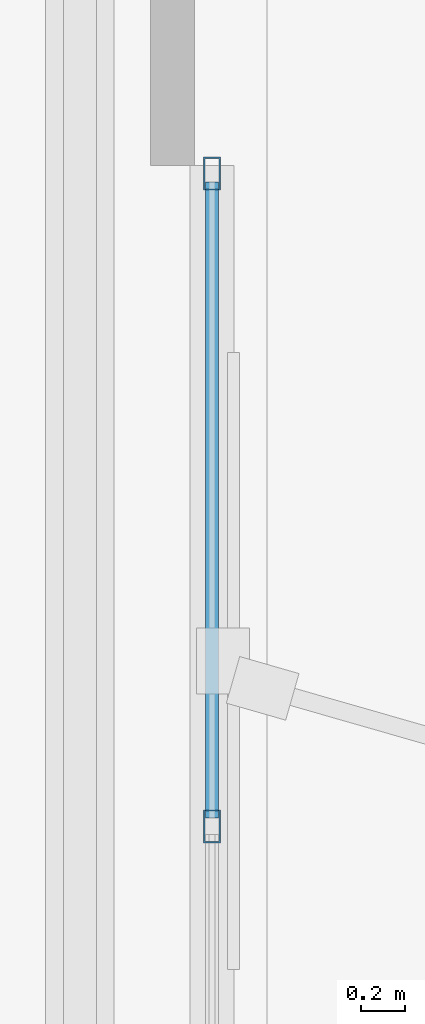
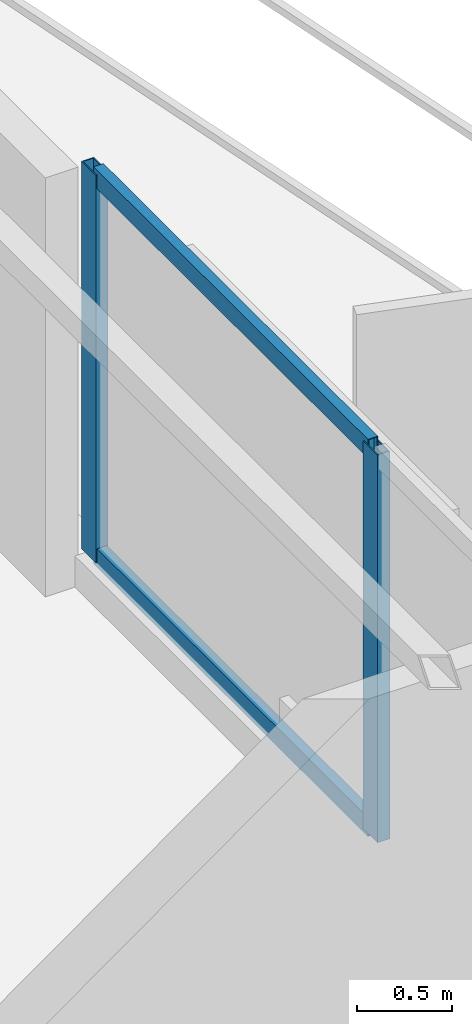
# One storey, part 13 of 21: 4 members, 1 element without a shape of its own.
"""IFC4 building model written with IfcOpenShell, lengths in metres."""

from ifc_helpers import new_model, si_unit, direction, frame, origin, origin_2d, place, context, subcontext, project, spatial, hollow_rectangle, extrude, material, layer, layer_set, material_profile, profile_set, type_object, element, aggregate, save


model = new_model("IFC4")

# Units and contexts
model_context = context("Model", 3, precision=1e-05, world=origin(), true_north=direction((0.0, 1.0)))
body_context = subcontext(model_context, "Body", "Model", "MODEL_VIEW")
ifc_project = project(units=[si_unit("LENGTHUNIT", "METRE"), si_unit("AREAUNIT", "SQUARE_METRE"), si_unit("VOLUMEUNIT", "CUBIC_METRE"), si_unit("PLANEANGLEUNIT", "RADIAN"), si_unit("MASSUNIT", "GRAM", prefix="KILO")], contexts=[model_context])

# Site, building, storey
site_placement = place(None, origin())
site = spatial("IfcSite", under=ifc_project, at=site_placement, CompositionType="ELEMENT")
building_placement = place(site_placement, origin())
building = spatial("IfcBuilding", under=site, at=building_placement, Name="Mersakhor Tower and Convention Hall", CompositionType="ELEMENT")
storey_placement = place(building_placement, frame((0.0, 0.0, 185.39990234375)))
storey = spatial("IfcBuildingStorey", under=building, at=storey_placement, Name="L51", CompositionType="ELEMENT", Elevation=185.39990234375)

# Curtain wall, members
ifc_material_1 = material(Name="Dark solar low-E aluminium curtain wall", Category="aluminium")
ifc_layer = layer(ifc_material_1, 0.169921875)
ifc_layer_set = layer_set([ifc_layer], Name="Dark solar low-E aluminium curtain wall")
curtain_wall_type = type_object("IfcCurtainWallType", Name="CW-SYS-02", PredefinedType="USERDEFINED", material=ifc_layer_set)
curtain_wall_placement = place(storey_placement, origin())
curtain_wall = element("IfcCurtainWall", 1, at=curtain_wall_placement, inside=storey, type_object=curtain_wall_type, Name="L51 Dark-Glass Curtain Wall F2-B2", ObjectType="CURTAIN WALL", PredefinedType="USERDEFINED")
ifc_material_2 = material(Name="Anodised aluminium EN AW-6063 T6", Category="aluminium")
ifc_material_profile_1 = material_profile(ifc_material_2, hollow_rectangle(XDim=0.074951171875, YDim=0.14990234375, WallThickness=0.00634765625, at=origin_2d()), Name="RHS 150x75x6.3")
ifc_profile_set_1 = profile_set([ifc_material_profile_1], Name="Anodised aluminium EN AW-6063 T6")
member_type_1 = type_object("IfcMemberType", Name="CWM-150x75", PredefinedType="MULLION", material=ifc_profile_set_1)
member_1_placement = place(storey_placement, frame((40.58837890625, 31.2119140625, 0.2001953125), z_axis=(0.0, 0.0, 1.0), x_axis=(1.0, 0.0, 0.0)))
member_1 = element("IfcMember", 2, at=member_1_placement, type_object=member_type_1, Name="CW-02 mullion 1", PredefinedType="MULLION", context=body_context, shape_type="SweptSolid", body=[
    extrude(hollow_rectangle(XDim=0.074951171875, YDim=0.14990234375, WallThickness=0.00634765625, at=origin_2d()), origin(), (0.0, 0.0, 1.0), 2.489990234375),
])
member_2_placement = place(storey_placement, frame((40.58837890625, 28.249755859375, 0.2001953125), z_axis=(0.0, 0.0, 1.0), x_axis=(1.0, 0.0, 0.0)))
member_2 = element("IfcMember", 3, at=member_2_placement, type_object=member_type_1, Name="CW-02 mullion 2", PredefinedType="MULLION", context=body_context, shape_type="SweptSolid", body=[
    extrude(hollow_rectangle(XDim=0.074951171875, YDim=0.14990234375, WallThickness=0.00634765625, at=origin_2d()), origin(), (0.0, 0.0, 1.0), 2.489990234375),
])
ifc_material_3 = material(Name="Anodised aluminium EN AW-6063 T6", Category="aluminium")
ifc_material_profile_2 = material_profile(ifc_material_3, hollow_rectangle(XDim=0.06005859375, YDim=0.1201171875, WallThickness=0.0048828125, at=origin_2d()), Name="RHS 120x60x5")
ifc_profile_set_2 = profile_set([ifc_material_profile_2], Name="Anodised aluminium EN AW-6063 T6")
member_type_2 = type_object("IfcMemberType", Name="CWT-120x60", PredefinedType="USERDEFINED", material=ifc_profile_set_2)
member_3_placement = place(storey_placement, frame((40.58837890625, 31.174560546875, 0.22998046875), z_axis=(0.0, -1.0, 0.0), x_axis=(1.0, 0.0, 0.0)))
member_3 = element("IfcMember", 4, at=member_3_placement, type_object=member_type_2, Name="CW-02 transom 1.1", ObjectType="TRANSOM", PredefinedType="USERDEFINED", context=body_context, shape_type="SweptSolid", body=[
    extrude(hollow_rectangle(XDim=0.06005859375, YDim=0.1201171875, WallThickness=0.0048828125, at=origin_2d()), origin(), (0.0, 0.0, 1.0), 2.88720703125),
])
member_4_placement = place(storey_placement, frame((40.58837890625, 31.174560546875, 2.66015625), z_axis=(0.0, -1.0, 0.0), x_axis=(1.0, 0.0, 0.0)))
member_4 = element("IfcMember", 5, at=member_4_placement, type_object=member_type_2, Name="CW-02 transom 1.2", ObjectType="TRANSOM", PredefinedType="USERDEFINED", context=body_context, shape_type="SweptSolid", body=[
    extrude(hollow_rectangle(XDim=0.06005859375, YDim=0.1201171875, WallThickness=0.0048828125, at=origin_2d()), origin(), (0.0, 0.0, 1.0), 2.88720703125),
])
aggregate(curtain_wall, [member_1, member_2, member_3, member_4])

save(model, "model.ifc")
